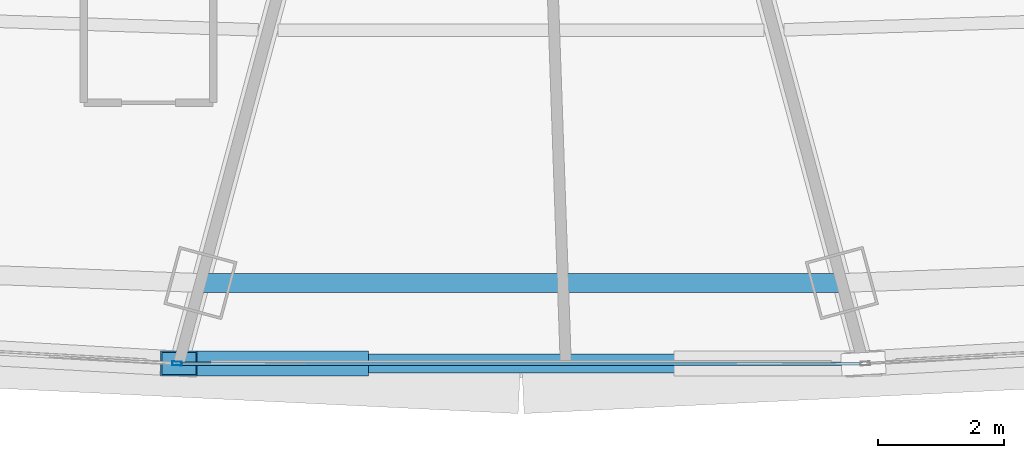
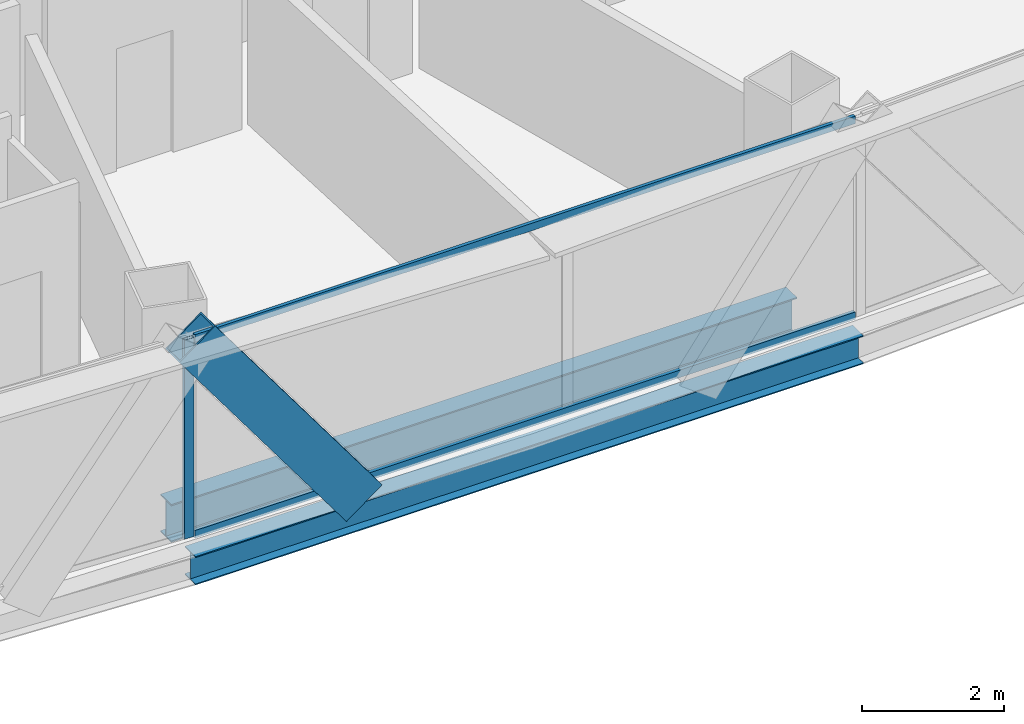
# One storey, part 10 of 41: 4 members, 2 beams, 2 elements without a shape of their own.
"""IFC4 building model written with IfcOpenShell, lengths in metres."""

from ifc_helpers import new_model, si_unit, direction, frame, origin, origin_2d, place, context, subcontext, project, spatial, hollow_rectangle, i_section, extrude, source, transform, mapped, material, layer, layer_set, material_profile, profile_set, type_object, element, aggregate, save


model = new_model("IFC4")

# Units and contexts
model_context = context("Model", 3, precision=1e-05, world=origin(), true_north=direction((0.0, 1.0)))
body_context = subcontext(model_context, "Body", "Model", "MODEL_VIEW")
ifc_project = project(units=[si_unit("LENGTHUNIT", "METRE"), si_unit("AREAUNIT", "SQUARE_METRE"), si_unit("VOLUMEUNIT", "CUBIC_METRE"), si_unit("PLANEANGLEUNIT", "RADIAN"), si_unit("MASSUNIT", "GRAM", prefix="KILO"), si_unit("THERMODYNAMICTEMPERATUREUNIT", "KELVIN"), si_unit("POWERUNIT", "WATT")], contexts=[model_context])

# Site, building, storey
site_placement = place(None, origin())
site = spatial("IfcSite", under=ifc_project, at=site_placement, CompositionType="ELEMENT")
building_placement = place(site_placement, origin())
building = spatial("IfcBuilding", under=site, at=building_placement, Name="Yunzhuo Pagoda Commons", CompositionType="ELEMENT")
storey_placement = place(building_placement, frame((0.0, 0.0, 155.590087890625)))
storey = spatial("IfcBuildingStorey", under=building, at=storey_placement, Name="L39", CompositionType="ELEMENT", Elevation=155.590087890625)

# Beams
ifc_material_1 = material(Name="Structural steel Q355B", Category="steel")
ifc_material_profile_1 = material_profile(ifc_material_1, i_section(OverallWidth=0.300048828125, OverallDepth=0.64990234375, WebThickness=0.012939453125, FlangeThickness=0.02197265625, at=origin_2d()), Name="Structural steel Q355B")
ifc_profile_set_1 = profile_set([ifc_material_profile_1], Name="Structural steel Q355B")
beam_type_1 = type_object("IfcBeamType", Name="B-RG2 Beam HN 650x300x13x22", PredefinedType="BEAM", material=ifc_profile_set_1)
shared_shape_1 = source(origin(), body_context, "Body", "SweptSolid", [
    extrude(i_section(OverallWidth=0.300048828125, OverallDepth=0.64990234375, WebThickness=0.012939453125, FlangeThickness=0.02197265625, at=origin_2d()), origin(), (0.0, 0.0, 1.0), 10.17041015625),
])
beam_1_placement = place(storey_placement, frame((42.914794921875, 14.7216796875, -0.585205078125), z_axis=(1.0, 0.0, 0.0), x_axis=(0.0, 1.0, 0.0)))
element("IfcBeam", 1, at=beam_1_placement, inside=storey, type_object=beam_type_1, Name="L39 column-ring beam 2", PredefinedType="BEAM", context=body_context, shape_type="MappedRepresentation", body=[
    mapped(shared_shape_1, transform((0.0, 0.0, 0.0), scale=1.0)),
])
ifc_material_profile_2 = material_profile(ifc_material_1, i_section(OverallWidth=0.300048828125, OverallDepth=0.488037109375, WebThickness=0.010986328125, FlangeThickness=0.01806640625, at=origin_2d()), Name="Structural steel Q355B")
ifc_profile_set_2 = profile_set([ifc_material_profile_2], Name="Structural steel Q355B")
beam_type_2 = type_object("IfcBeamType", Name="B-SP1 Beam HM 488x300x11x18", PredefinedType="BEAM", material=ifc_profile_set_2)
shared_shape_2 = source(origin(), body_context, "Body", "SweptSolid", [
    extrude(i_section(OverallWidth=0.300048828125, OverallDepth=0.488037109375, WebThickness=0.010986328125, FlangeThickness=0.01806640625, at=origin_2d()), origin(), (0.0, 0.0, 1.0), 10.85498046875),
])
beam_2_placement = place(storey_placement, frame((42.572509765625, 13.44384765625, -0.50390625), z_axis=(1.0, 0.0, 0.0), x_axis=(0.0, 1.0, 0.0)))
element("IfcBeam", 2, at=beam_2_placement, inside=storey, type_object=beam_type_2, Name="L39 facade edge spandrel beam F1.2", PredefinedType="BEAM", context=body_context, shape_type="MappedRepresentation", body=[
    mapped(shared_shape_2, transform((0.0, 0.0, 0.0), scale=1.0)),
])

# Member
ifc_material_profile_3 = material_profile(ifc_material_1, hollow_rectangle(XDim=0.39990234375, YDim=0.719970703125, WallThickness=0.02392578125, at=origin_2d()), Name="Structural steel Q355B")
ifc_profile_set_3 = profile_set([ifc_material_profile_3], Name="Structural steel Q355B")
member_type_1 = type_object("IfcMemberType", Name="M-DL2 Brace BOX 720x400x24", PredefinedType="BRACE", material=ifc_profile_set_3)
shared_shape_3 = source(origin(), body_context, "Body", "SweptSolid", [
    extrude(hollow_rectangle(XDim=0.39990234375, YDim=0.719970703125, WallThickness=0.02392578125, at=origin_2d()), origin(), (0.0, 0.0, 1.0), 4.572265625),
])
member_1_placement = place(storey_placement, frame((45.2861328125, 13.44384765625, -0.260009765625), z_axis=(-0.593495886815, 0.0, 0.804837022219), x_axis=(0.0, -1.0, 0.0)))
element("IfcMember", 3, at=member_1_placement, inside=storey, type_object=member_type_1, Name="L39 facade diamond brace F1.2L", PredefinedType="BRACE", context=body_context, shape_type="MappedRepresentation", body=[
    mapped(shared_shape_3, transform((0.0, 0.0, 0.0), scale=1.0)),
])

# Curtain wall, member
ifc_material_2 = material(Name="Anodized aluminium 6063-T6", Category="aluminium")
ifc_layer = layer(ifc_material_2, 0.14990234375)
ifc_layer_set = layer_set([ifc_layer], Name="Anodized aluminium 6063-T6")
curtain_wall_type = type_object("IfcCurtainWallType", Name="CW-MID Mid-Zone Ribbon Curtain Wall", PredefinedType="NOTDEFINED", material=ifc_layer_set)
curtain_wall_1_placement = place(storey_placement, origin())
curtain_wall_1 = element("IfcCurtainWall", 4, at=curtain_wall_1_placement, inside=storey, type_object=curtain_wall_type, Name="L39 curtain wall CW-L39-F1B2", PredefinedType="NOTDEFINED")
ifc_material_profile_4 = material_profile(ifc_material_2, hollow_rectangle(XDim=0.06005859375, YDim=0.14990234375, WallThickness=0.00390625, at=origin_2d()), Name="Anodized aluminium 6063-T6")
ifc_profile_set_4 = profile_set([ifc_material_profile_4], Name="Anodized aluminium 6063-T6")
member_type_2 = type_object("IfcMemberType", Name="CW-MID-M Mullion RHS 150x60x4", PredefinedType="MULLION", material=ifc_profile_set_4)
shared_shape_4 = source(origin(), body_context, "Body", "SweptSolid", [
    extrude(hollow_rectangle(XDim=0.06005859375, YDim=0.14990234375, WallThickness=0.00390625, at=origin_2d()), origin(), (0.0, 0.0, 1.0), 3.419921875),
])
member_2_placement = place(storey_placement, frame((42.542724609375, 13.445556640625, 0.0), z_axis=(0.0, 0.0, 1.0), x_axis=(0.056459249567, 0.998404904404, 0.0)))
member_2 = element("IfcMember", 5, at=member_2_placement, type_object=member_type_2, Name="CW mullion 2", PredefinedType="MULLION", context=body_context, shape_type="MappedRepresentation", body=[
    mapped(shared_shape_4, transform((0.0, 0.0, 0.0), scale=1.0)),
])
aggregate(curtain_wall_1, [member_2])

# Curtain wall, members
curtain_wall_2_placement = place(storey_placement, origin())
curtain_wall_2 = element("IfcCurtainWall", 6, at=curtain_wall_2_placement, inside=storey, type_object=curtain_wall_type, Name="L39 curtain wall CW-L39-F1B3", PredefinedType="NOTDEFINED")
ifc_material_profile_5 = material_profile(ifc_material_2, hollow_rectangle(XDim=0.054931640625, YDim=0.1298828125, WallThickness=0.00341796875, at=origin_2d()), Name="Anodized aluminium 6063-T6")
ifc_profile_set_5 = profile_set([ifc_material_profile_5], Name="Anodized aluminium 6063-T6")
member_type_3 = type_object("IfcMemberType", Name="CW-MID-T Transom RHS 130x55x3.5", PredefinedType="USERDEFINED", material=ifc_profile_set_5)
shared_shape_5 = source(origin(), body_context, "Body", "SweptSolid", [
    extrude(hollow_rectangle(XDim=0.054931640625, YDim=0.1298828125, WallThickness=0.00341796875, at=origin_2d()), origin(), (0.0, 0.0, 1.0), 10.7353515625),
])
member_3_placement = place(storey_placement, frame((42.63232421875, 13.44384765625, 0.02734375), z_axis=(1.0, 0.0, 0.0), x_axis=(0.0, 1.0, 0.0)))
member_3 = element("IfcMember", 7, at=member_3_placement, type_object=member_type_3, Name="CW transom 1.1", ObjectType="TRANSOM", PredefinedType="USERDEFINED", context=body_context, shape_type="MappedRepresentation", body=[
    mapped(shared_shape_5, transform((0.0, 0.0, 0.0), scale=1.0)),
])
member_4_placement = place(storey_placement, frame((42.63232421875, 13.44384765625, 3.392333984375), z_axis=(1.0, 0.0, 0.0), x_axis=(0.0, 1.0, 0.0)))
member_4 = element("IfcMember", 8, at=member_4_placement, type_object=member_type_3, Name="CW transom 1.2", ObjectType="TRANSOM", PredefinedType="USERDEFINED", context=body_context, shape_type="MappedRepresentation", body=[
    mapped(shared_shape_5, transform((0.0, 0.0, 0.0), scale=1.0)),
])
aggregate(curtain_wall_2, [member_3, member_4])

save(model, "model.ifc")
